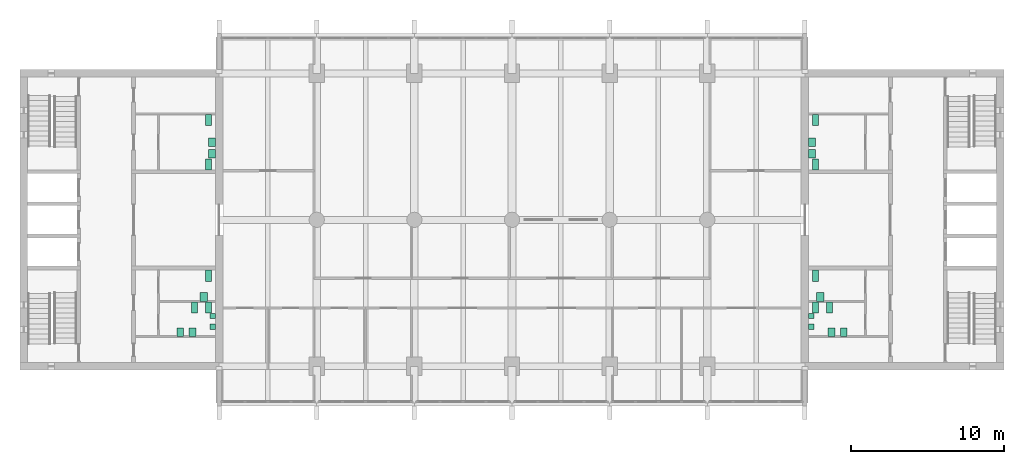
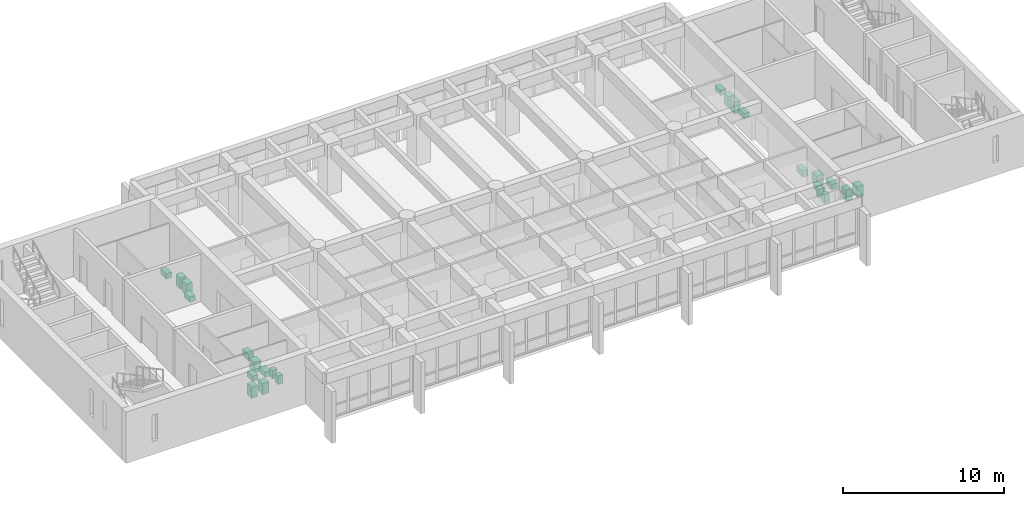
# One storey, part 15 of 15: 24 sanitary terminals.
"""IFC4 building model written with IfcOpenShell, lengths in metres."""

from ifc_helpers import new_model, si_unit, direction, frame, origin, origin_2d, place, context, subcontext, project, spatial, rectangle, extrude, material, type_object, element, save


model = new_model("IFC4")

# Units and contexts
model_context = context("Model", 3, precision=1e-05, world=origin(), true_north=direction((0.0, 1.0)))
body_context = subcontext(model_context, "Body", "Model", "MODEL_VIEW")
ifc_project = project(units=[si_unit("LENGTHUNIT", "METRE"), si_unit("AREAUNIT", "SQUARE_METRE"), si_unit("VOLUMEUNIT", "CUBIC_METRE"), si_unit("PLANEANGLEUNIT", "RADIAN"), si_unit("MASSUNIT", "GRAM", prefix="KILO")], contexts=[model_context])

# Site, building, storey
site_placement = place(None, origin())
site = spatial("IfcSite", under=ifc_project, at=site_placement, CompositionType="ELEMENT")
building_placement = place(site_placement, origin())
building = spatial("IfcBuilding", under=site, at=building_placement, Name="Fogon Plaza Fire Station and Headquarters Tower", CompositionType="ELEMENT")
storey_placement = place(building_placement, frame((0.0, 0.0, 28.800048828125)))
storey = spatial("IfcBuildingStorey", under=building, at=storey_placement, Name="L07", CompositionType="ELEMENT", Elevation=28.800048828125)

# Sanitary terminals
ifc_material_1 = material(Name="Vitreous china")
sanitary_terminal_type_1 = type_object("IfcSanitaryTerminalType", Name="Accessible Hand Basin 600x500", PredefinedType="WASHHANDBASIN", material=ifc_material_1)
for number, where, z_axis, x_axis, name in (
    (1, (24.60009765625, 38.14990234375, 0.0), (0.0, 0.0, 1.0), (1.0, 0.0, 0.0), "Accessible Hand Basin"),
    (2, (65.0, 38.14990234375, 0.0), (0.0, 0.0, 1.0), (1.0, 0.0, 0.0), "Accessible Hand Basin"),
):
    element("IfcSanitaryTerminal", number, at=place(storey_placement, frame(where, z_axis=z_axis, x_axis=x_axis)), inside=storey, type_object=sanitary_terminal_type_1, Name=name, PredefinedType="WASHHANDBASIN", context=body_context, shape_type="SweptSolid", body=[
        extrude(rectangle(XDim=0.5, YDim=0.60009765625, at=origin_2d()), origin(), (0.0, 0.0, 1.0), 0.800048828125),
    ])
ifc_material_2 = material(Name="Vitreous china")
sanitary_terminal_type_2 = type_object("IfcSanitaryTerminalType", Name="Accessible WC Pan 400x750", PredefinedType="TOILETPAN", material=ifc_material_2)
for number, where, z_axis, x_axis, name in (
    (3, (24.89990234375, 39.550048828125, 0.0), (0.0, 0.0, 1.0), (1.0, 0.0, 0.0), "Accessible WC Pan"),
    (4, (64.699951171875, 39.550048828125, 0.0), (0.0, 0.0, 1.0), (1.0, 0.0, 0.0), "Accessible WC Pan"),
):
    element("IfcSanitaryTerminal", number, at=place(storey_placement, frame(where, z_axis=z_axis, x_axis=x_axis)), inside=storey, type_object=sanitary_terminal_type_2, Name=name, PredefinedType="TOILETPAN", context=body_context, shape_type="SweptSolid", body=[
        extrude(rectangle(XDim=0.39990234375, YDim=0.75, at=origin_2d()), origin(), (0.0, 0.0, 1.0), 0.47998046875),
    ])
ifc_material_3 = material(Name="Vitreous china")
sanitary_terminal_type_3 = type_object("IfcSanitaryTerminalType", Name="Hand Basin 550x450", PredefinedType="WASHHANDBASIN", material=ifc_material_3)
for number, where, z_axis, x_axis, name in (
    (5, (23.85009765625, 35.824951171875, 0.0), (0.0, 0.0, 1.0), (1.0, 0.0, 0.0), "Hand Basin"),
    (6, (23.050048828125, 35.824951171875, 0.0), (0.0, 0.0, 1.0), (1.0, 0.0, 0.0), "Hand Basin"),
    (7, (25.125, 47.52490234375, 0.0), (0.0, 0.0, 1.0), (1.0, 0.0, 0.0), "Hand Basin"),
    (8, (25.125, 48.27490234375, 0.0), (0.0, 0.0, 1.0), (1.0, 0.0, 0.0), "Hand Basin"),
    (9, (65.75, 35.824951171875, 0.0), (0.0, 0.0, 1.0), (1.0, 0.0, 0.0), "Hand Basin"),
    (10, (66.550048828125, 35.824951171875, 0.0), (0.0, 0.0, 1.0), (1.0, 0.0, 0.0), "Hand Basin"),
    (11, (64.47509765625, 47.52490234375, 0.0), (0.0, 0.0, 1.0), (1.0, 0.0, 0.0), "Hand Basin"),
    (12, (64.47509765625, 48.27490234375, 0.0), (0.0, 0.0, 1.0), (1.0, 0.0, 0.0), "Hand Basin"),
):
    element("IfcSanitaryTerminal", number, at=place(storey_placement, frame(where, z_axis=z_axis, x_axis=x_axis)), inside=storey, type_object=sanitary_terminal_type_3, Name=name, PredefinedType="WASHHANDBASIN", context=body_context, shape_type="SweptSolid", body=[
        extrude(rectangle(XDim=0.449951171875, YDim=0.550048828125, at=origin_2d()), origin(), (0.0, 0.0, 1.0), 0.85009765625),
    ])
ifc_material_4 = material(Name="Vitreous china")
sanitary_terminal_type_4 = type_object("IfcSanitaryTerminalType", Name="Urinal 350x350", PredefinedType="URINAL", material=ifc_material_4)
for number, where, z_axis, x_axis, name in (
    (13, (25.175048828125, 36.199951171875, 0.0), (0.0, 0.0, 1.0), (1.0, 0.0, 0.0), "Urinal"),
    (14, (25.175048828125, 36.89990234375, 0.0), (0.0, 0.0, 1.0), (1.0, 0.0, 0.0), "Urinal"),
    (15, (64.425048828125, 36.199951171875, 0.0), (0.0, 0.0, 1.0), (1.0, 0.0, 0.0), "Urinal"),
    (16, (64.425048828125, 36.89990234375, 0.0), (0.0, 0.0, 1.0), (1.0, 0.0, 0.0), "Urinal"),
):
    element("IfcSanitaryTerminal", number, at=place(storey_placement, frame(where, z_axis=z_axis, x_axis=x_axis)), inside=storey, type_object=sanitary_terminal_type_4, Name=name, PredefinedType="URINAL", context=body_context, shape_type="SweptSolid", body=[
        extrude(rectangle(XDim=0.35009765625, YDim=0.35009765625, at=origin_2d()), origin(), (0.0, 0.0, 1.0), 0.64990234375),
    ])
ifc_material_5 = material(Name="Vitreous china")
sanitary_terminal_type_5 = type_object("IfcSanitaryTerminalType", Name="WC Pan 400x700", PredefinedType="TOILETPAN", material=ifc_material_5)
for number, where, z_axis, x_axis, name in (
    (17, (24.89990234375, 37.449951171875, 0.0), (0.0, 0.0, 1.0), (1.0, 0.0, 0.0), "WC Pan"),
    (18, (24.0, 37.449951171875, 0.0), (0.0, 0.0, 1.0), (1.0, 0.0, 0.0), "WC Pan"),
    (19, (24.89990234375, 49.75, 0.0), (0.0, 0.0, 1.0), (1.0, 0.0, 0.0), "WC Pan"),
    (20, (24.89990234375, 46.824951171875, 0.0), (0.0, 0.0, 1.0), (1.0, 0.0, 0.0), "WC Pan"),
    (21, (64.699951171875, 37.449951171875, 0.0), (0.0, 0.0, 1.0), (1.0, 0.0, 0.0), "WC Pan"),
    (22, (65.60009765625, 37.449951171875, 0.0), (0.0, 0.0, 1.0), (1.0, 0.0, 0.0), "WC Pan"),
    (23, (64.699951171875, 49.75, 0.0), (0.0, 0.0, 1.0), (1.0, 0.0, 0.0), "WC Pan"),
    (24, (64.699951171875, 46.824951171875, 0.0), (0.0, 0.0, 1.0), (1.0, 0.0, 0.0), "WC Pan"),
):
    element("IfcSanitaryTerminal", number, at=place(storey_placement, frame(where, z_axis=z_axis, x_axis=x_axis)), inside=storey, type_object=sanitary_terminal_type_5, Name=name, PredefinedType="TOILETPAN", context=body_context, shape_type="SweptSolid", body=[
        extrude(rectangle(XDim=0.39990234375, YDim=0.699951171875, at=origin_2d()), origin(), (0.0, 0.0, 1.0), 0.39990234375),
    ])

save(model, "model.ifc")
